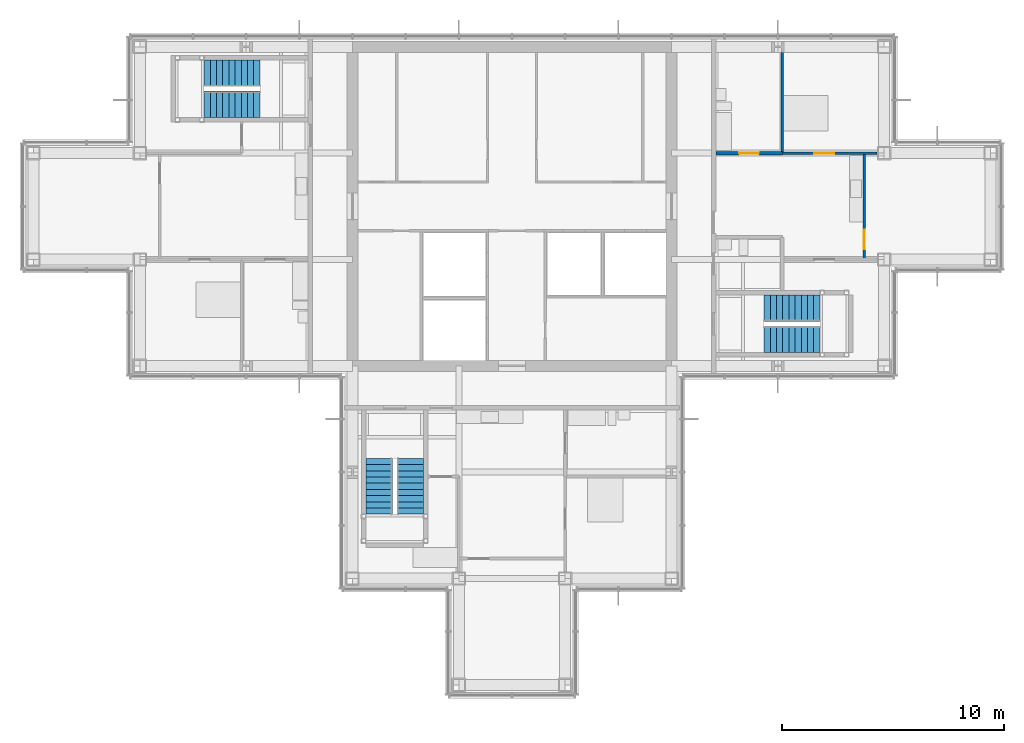
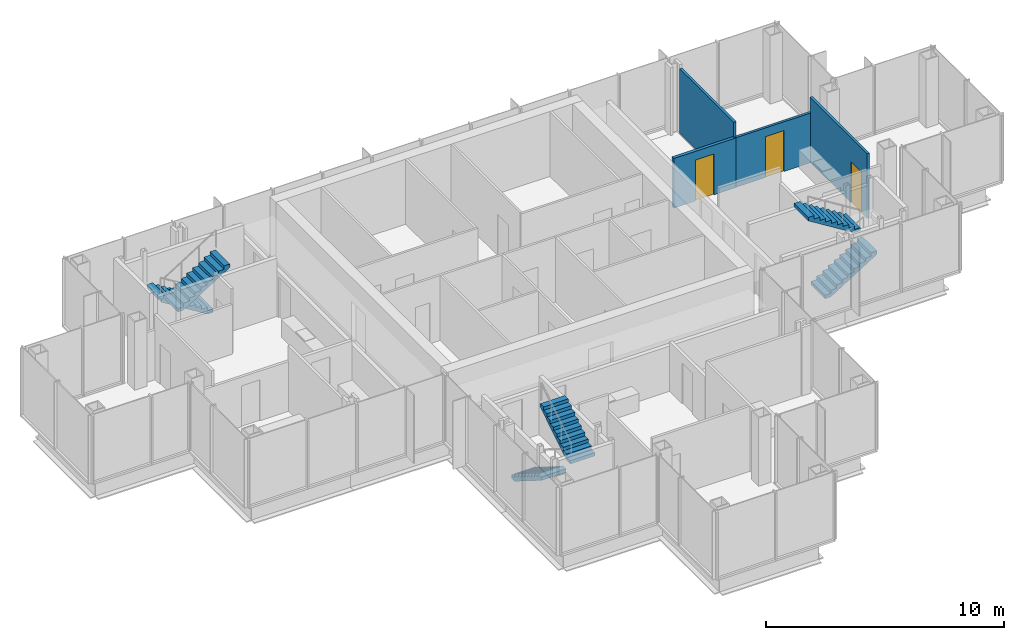
# One storey, part 12 of 15: 6 stair flights, 4 walls, 3 doors, 3 openings, 3 elements without a shape of their own.
"""IFC4 building model written with IfcOpenShell, lengths in metres."""

from ifc_helpers import new_model, si_unit, direction, frame, frame_2d, origin, place, context, subcontext, project, spatial, polyline, rectangle, outline, extrude, material, layer, layer_set, type_object, element, fill, aggregate, save


model = new_model("IFC4")

# Units and contexts
model_context = context("Model", 3, precision=1e-05, world=origin(), true_north=direction((0.0, 1.0)))
body_context = subcontext(model_context, "Body", "Model", "MODEL_VIEW")
ifc_project = project(units=[si_unit("LENGTHUNIT", "METRE"), si_unit("AREAUNIT", "SQUARE_METRE"), si_unit("VOLUMEUNIT", "CUBIC_METRE"), si_unit("PLANEANGLEUNIT", "RADIAN"), si_unit("MASSUNIT", "GRAM", prefix="KILO")], contexts=[model_context])

# Site, building, storey
site_placement = place(None, origin())
site = spatial("IfcSite", under=ifc_project, at=site_placement, CompositionType="ELEMENT")
building_placement = place(site_placement, origin())
building = spatial("IfcBuilding", under=site, at=building_placement, Name="Kvirike Care Tower", CompositionType="ELEMENT")
storey_placement = place(building_placement, frame((0.0, 0.0, 201.5)))
storey = spatial("IfcBuildingStorey", under=building, at=storey_placement, Name="L55", CompositionType="ELEMENT", Elevation=201.5)

# Wall, opening, door
ifc_material_1 = material(Name="Moisture-resistant board partition", Category="gypsum")
ifc_layer_1 = layer(ifc_material_1, 0.14990234375)
ifc_layer_set_1 = layer_set([ifc_layer_1], Name="BATHROOM WALL 150")
wall_type_1 = type_object("IfcWallType", Name="BATHROOM WALL 150", PredefinedType="PARTITIONING", material=ifc_layer_set_1)
wall_1_placement = place(storey_placement, frame((33.800048828125, 38.39990234375, 0.0), z_axis=(0.0, 0.0, 1.0), x_axis=(-1.0, 0.0, 0.0)))
wall_1 = element("IfcWall", 1, at=wall_1_placement, inside=storey, type_object=wall_type_1, Name="Bathroom Wall 150 L55", PredefinedType="PARTITIONING", context=body_context, shape_type="SweptSolid", body=[
    extrude(rectangle(XDim=3.0, YDim=0.14990234375, at=frame_2d((1.5, 0.0))), origin(), (0.0, 0.0, 1.0), 2.550048828125),
])
opening_1_placement = place(wall_1_placement, frame((1.050048828125, 0.0, 0.0)))
opening_1 = element("IfcOpeningElement", 2, at=opening_1_placement, cuts=wall_1, Name="Opening 55-013", PredefinedType="OPENING", context=body_context, shape_type="SweptSolid", body=[
    extrude(rectangle(XDim=0.89990234375, YDim=2.10009765625, at=frame_2d((0.449951171875, 1.050048828125))), frame((0.0, 0.08544921875, 0.0), z_axis=(0.0, -1.0, 0.0), x_axis=(1.0, 0.0, 0.0)), (0.0, 0.0, 1.0), 0.1708984375),
])
ifc_material_2 = material(Name="Timber door set", Category="wood")
door_type_1 = type_object("IfcDoorType", Name="BATHROOM DOOR 900", OperationType="SINGLE_SWING_RIGHT", PredefinedType="DOOR", material=ifc_material_2)
door_1_placement = place(opening_1_placement, frame((0.89990234375, 0.0, 0.0), z_axis=(0.0, 0.0, 1.0), x_axis=(-1.0, 0.0, 0.0)))
door_1 = element("IfcDoor", 3, at=door_1_placement, inside=storey, type_object=door_type_1, Name="Bathroom door", OperationType="SINGLE_SWING_LEFT", OverallHeight=2.10009765625, OverallWidth=0.89990234375, PredefinedType="DOOR", context=body_context, shape_type="SweptSolid", body=[
    extrude(rectangle(XDim=0.89990234375, YDim=2.10009765625, at=frame_2d((0.449951171875, 1.050048828125))), frame((0.0, 0.02197265625, 0.0), z_axis=(0.0, -1.0, 0.0), x_axis=(1.0, 0.0, 0.0)), (0.0, 0.0, 1.0), 0.0439453125),
])
fill(opening_1, door_1)

ifc_material_3 = material(Name="Plasterboard partition", Category="gypsum")
ifc_layer_2 = layer(ifc_material_3, 0.1201171875)
ifc_layer_set_2 = layer_set([ifc_layer_2], Name="PARTITION 120")
wall_type_2 = type_object("IfcWallType", Name="PARTITION 120", PredefinedType="PARTITIONING", material=ifc_layer_set_2)
wall_2_placement = place(storey_placement, frame((37.5, 33.60009765625, 0.0), z_axis=(0.0, 0.0, 1.0), x_axis=(0.0, 1.0, 0.0)))
wall_2 = element("IfcWall", 4, at=wall_2_placement, inside=storey, type_object=wall_type_2, Name="Partition 120 L55", PredefinedType="PARTITIONING", context=body_context, shape_type="SweptSolid", body=[
    extrude(rectangle(XDim=4.7998046875, YDim=0.1201171875, at=frame_2d((2.39990234375, 0.0))), origin(), (0.0, 0.0, 1.0), 3.330078125),
])
opening_2_placement = place(wall_2_placement, frame((0.449951171875, 0.0, 0.0)))
opening_2 = element("IfcOpeningElement", 5, at=opening_2_placement, cuts=wall_2, Name="Opening 55-014", PredefinedType="OPENING", context=body_context, shape_type="SweptSolid", body=[
    extrude(rectangle(XDim=0.89990234375, YDim=2.10009765625, at=frame_2d((0.449951171875, 1.050048828125))), frame((0.0, 0.070556640625, 0.0), z_axis=(0.0, -1.0, 0.0), x_axis=(1.0, 0.0, 0.0)), (0.0, 0.0, 1.0), 0.14111328125),
])
ifc_material_4 = material(Name="Timber door set", Category="wood")
door_type_2 = type_object("IfcDoorType", Name="INTERNAL DOOR 900", OperationType="SINGLE_SWING_LEFT", PredefinedType="DOOR", material=ifc_material_4)
door_2_placement = place(opening_2_placement, frame((0.89990234375, 0.0, 0.0), z_axis=(0.0, 0.0, 1.0), x_axis=(-1.0, 0.0, 0.0)))
door_2 = element("IfcDoor", 6, at=door_2_placement, inside=storey, type_object=door_type_2, Name="Apartment living room door", OperationType="SINGLE_SWING_LEFT", OverallHeight=2.10009765625, OverallWidth=0.89990234375, PredefinedType="DOOR", context=body_context, shape_type="SweptSolid", body=[
    extrude(rectangle(XDim=0.89990234375, YDim=2.10009765625, at=frame_2d((0.449951171875, 1.050048828125))), frame((0.0, 0.02197265625, 0.0), z_axis=(0.0, -1.0, 0.0), x_axis=(1.0, 0.0, 0.0)), (0.0, 0.0, 1.0), 0.0439453125),
])
fill(opening_2, door_2)

# Wall
wall_3_placement = place(storey_placement, frame((33.800048828125, 38.39990234375, 0.0), z_axis=(0.0, 0.0, 1.0), x_axis=(0.0, 1.0, 0.0)))
element("IfcWall", 7, at=wall_3_placement, inside=storey, type_object=wall_type_2, Name="Partition 120 L55", PredefinedType="PARTITIONING", context=body_context, shape_type="SweptSolid", body=[
    extrude(rectangle(XDim=4.552978515625, YDim=0.1201171875, at=frame_2d((2.2763671875, 0.0))), origin(), (0.0, 0.0, 1.0), 3.330078125),
])

# Wall, opening, door
wall_4_placement = place(storey_placement, frame((38.080078125, 38.39990234375, 0.0), z_axis=(0.0, 0.0, 1.0), x_axis=(-1.0, 0.0, 0.0)))
wall_4 = element("IfcWall", 8, at=wall_4_placement, inside=storey, type_object=wall_type_2, Name="Partition 120 L55", PredefinedType="PARTITIONING", context=body_context, shape_type="SweptSolid", body=[
    extrude(rectangle(XDim=4.280029296875, YDim=0.1201171875, at=frame_2d((2.14013671875, 0.0))), origin(), (0.0, 0.0, 1.0), 2.550048828125),
])
opening_3_placement = place(wall_4_placement, frame((1.929931640625, 0.0, 0.0)))
opening_3 = element("IfcOpeningElement", 9, at=opening_3_placement, cuts=wall_4, Name="Opening 55-016", PredefinedType="OPENING", context=body_context, shape_type="SweptSolid", body=[
    extrude(rectangle(XDim=0.89990234375, YDim=2.10009765625, at=frame_2d((0.449951171875, 1.050048828125))), frame((0.0, 0.070556640625, 0.0), z_axis=(0.0, -1.0, 0.0), x_axis=(1.0, 0.0, 0.0)), (0.0, 0.0, 1.0), 0.14111328125),
])
door_3_placement = place(opening_3_placement, frame((0.89990234375, 0.0, 0.0), z_axis=(0.0, 0.0, 1.0), x_axis=(-1.0, 0.0, 0.0)))
door_3 = element("IfcDoor", 10, at=door_3_placement, inside=storey, type_object=door_type_2, Name="Connecting door", OperationType="SINGLE_SWING_RIGHT", OverallHeight=2.10009765625, OverallWidth=0.89990234375, PredefinedType="DOOR", context=body_context, shape_type="SweptSolid", body=[
    extrude(rectangle(XDim=0.89990234375, YDim=2.10009765625, at=frame_2d((0.449951171875, 1.050048828125))), frame((0.0, 0.02197265625, 0.0), z_axis=(0.0, -1.0, 0.0), x_axis=(1.0, 0.0, 0.0)), (0.0, 0.0, 1.0), 0.0439453125),
])
fill(opening_3, door_3)

# Stair, stair flights
ifc_material_5 = material(Name="Concrete C35/45", Category="concrete")
stair_type = type_object("IfcStairType", Name="STAIR 20 RISERS", PredefinedType="HALF_TURN_STAIR", material=ifc_material_5)
stair_1_placement = place(storey_placement, origin())
stair_1 = element("IfcStair", 11, at=stair_1_placement, inside=storey, type_object=stair_type, Name="Stair 1 L55", PredefinedType="HALF_TURN_STAIR")
ifc_material_6 = material(Name="Concrete C35/45", Category="concrete")
stair_flight_type = type_object("IfcStairFlightType", Name="FLIGHT 10 RISERS", PredefinedType="STRAIGHT", material=ifc_material_6)
stair_flight_1_placement = place(storey_placement, frame((10.219970703125, 42.0, 0.0), z_axis=(0.0, 0.0, 1.0), x_axis=(-1.0, 0.0, 0.0)))
stair_flight_1 = element("IfcStairFlight", 12, at=stair_flight_1_placement, type_object=stair_flight_type, Name="Stair S1 flight 1 L55-L56", NumberOfRisers=10, NumberOfTreads=9, PredefinedType="STRAIGHT", RiserHeight=0.175, TreadLength=0.28, context=body_context, shape_type="SweptSolid", body=[
    extrude(outline(polyline([(0.0, 0.0), (0.0, 0.175048828125), (0.280029296875, 0.175048828125), (0.280029296875, 0.35009765625), (0.56005859375, 0.35009765625), (0.56005859375, 0.52490234375), (0.840087890625, 0.52490234375), (0.840087890625, 0.699951171875), (1.1201171875, 0.699951171875), (1.1201171875, 0.875), (1.39990234375, 0.875), (1.39990234375, 1.050048828125), (1.679931640625, 1.050048828125), (1.679931640625, 1.22509765625), (1.9599609375, 1.22509765625), (1.9599609375, 1.39990234375), (2.239990234375, 1.39990234375), (2.239990234375, 1.574951171875), (2.52001953125, 1.574951171875), (2.52001953125, 1.75), (2.52001953125, 1.398193359375), (0.28271484375, 0.0), (0.0, 0.0)])), frame((0.0, 0.60009765625, 0.0), z_axis=(0.0, -1.0, 0.0), x_axis=(1.0, 0.0, 0.0)), (0.0, 0.0, 1.0), 1.199951171875),
])
stair_flight_2_placement = place(storey_placement, frame((7.699951171875, 40.60009765625, 1.75), z_axis=(0.0, 0.0, 1.0), x_axis=(1.0, 0.0, 0.0)))
stair_flight_2 = element("IfcStairFlight", 13, at=stair_flight_2_placement, type_object=stair_flight_type, Name="Stair S1 flight 2 L55-L56", NumberOfRisers=10, NumberOfTreads=9, PredefinedType="STRAIGHT", RiserHeight=0.175, TreadLength=0.28, context=body_context, shape_type="SweptSolid", body=[
    extrude(outline(polyline([(0.0, 0.0), (0.0, 0.175048828125), (0.280029296875, 0.175048828125), (0.280029296875, 0.35009765625), (0.56005859375, 0.35009765625), (0.56005859375, 0.52490234375), (0.840087890625, 0.52490234375), (0.840087890625, 0.699951171875), (1.1201171875, 0.699951171875), (1.1201171875, 0.875), (1.39990234375, 0.875), (1.39990234375, 1.050048828125), (1.679931640625, 1.050048828125), (1.679931640625, 1.22509765625), (1.9599609375, 1.22509765625), (1.9599609375, 1.39990234375), (2.239990234375, 1.39990234375), (2.239990234375, 1.574951171875), (2.52001953125, 1.574951171875), (2.52001953125, 1.75), (2.52001953125, 1.398193359375), (0.28271484375, 0.0), (0.0, 0.0)])), frame((0.0, 0.60009765625, 0.0), z_axis=(0.0, -1.0, 0.0), x_axis=(1.0, 0.0, 0.0)), (0.0, 0.0, 1.0), 1.199951171875),
])
aggregate(stair_1, [stair_flight_1, stair_flight_2])

stair_2_placement = place(storey_placement, origin())
stair_2 = element("IfcStair", 14, at=stair_2_placement, inside=storey, type_object=stair_type, Name="Stair 2 L55", PredefinedType="HALF_TURN_STAIR")
stair_flight_3_placement = place(storey_placement, frame((32.97998046875, 30.0, 0.0), z_axis=(0.0, 0.0, 1.0), x_axis=(1.0, 0.0, 0.0)))
stair_flight_3 = element("IfcStairFlight", 15, at=stair_flight_3_placement, type_object=stair_flight_type, Name="Stair S2 flight 1 L55-L56", NumberOfRisers=10, NumberOfTreads=9, PredefinedType="STRAIGHT", RiserHeight=0.175, TreadLength=0.28, context=body_context, shape_type="SweptSolid", body=[
    extrude(outline(polyline([(0.0, 0.0), (0.0, 0.175048828125), (0.280029296875, 0.175048828125), (0.280029296875, 0.35009765625), (0.56005859375, 0.35009765625), (0.56005859375, 0.52490234375), (0.840087890625, 0.52490234375), (0.840087890625, 0.699951171875), (1.1201171875, 0.699951171875), (1.1201171875, 0.875), (1.39990234375, 0.875), (1.39990234375, 1.050048828125), (1.679931640625, 1.050048828125), (1.679931640625, 1.22509765625), (1.9599609375, 1.22509765625), (1.9599609375, 1.39990234375), (2.239990234375, 1.39990234375), (2.239990234375, 1.574951171875), (2.52001953125, 1.574951171875), (2.52001953125, 1.75), (2.52001953125, 1.398193359375), (0.28271484375, 0.0), (0.0, 0.0)])), frame((0.0, 0.60009765625, 0.0), z_axis=(0.0, -1.0, 0.0), x_axis=(1.0, 0.0, 0.0)), (0.0, 0.0, 1.0), 1.199951171875),
])
stair_flight_4_placement = place(storey_placement, frame((35.5, 31.39990234375, 1.75), z_axis=(0.0, 0.0, 1.0), x_axis=(-1.0, 0.0, 0.0)))
stair_flight_4 = element("IfcStairFlight", 16, at=stair_flight_4_placement, type_object=stair_flight_type, Name="Stair S2 flight 2 L55-L56", NumberOfRisers=10, NumberOfTreads=9, PredefinedType="STRAIGHT", RiserHeight=0.175, TreadLength=0.28, context=body_context, shape_type="SweptSolid", body=[
    extrude(outline(polyline([(0.0, 0.0), (0.0, 0.175048828125), (0.280029296875, 0.175048828125), (0.280029296875, 0.35009765625), (0.56005859375, 0.35009765625), (0.56005859375, 0.52490234375), (0.840087890625, 0.52490234375), (0.840087890625, 0.699951171875), (1.1201171875, 0.699951171875), (1.1201171875, 0.875), (1.39990234375, 0.875), (1.39990234375, 1.050048828125), (1.679931640625, 1.050048828125), (1.679931640625, 1.22509765625), (1.9599609375, 1.22509765625), (1.9599609375, 1.39990234375), (2.239990234375, 1.39990234375), (2.239990234375, 1.574951171875), (2.52001953125, 1.574951171875), (2.52001953125, 1.75), (2.52001953125, 1.398193359375), (0.28271484375, 0.0), (0.0, 0.0)])), frame((0.0, 0.60009765625, 0.0), z_axis=(0.0, -1.0, 0.0), x_axis=(1.0, 0.0, 0.0)), (0.0, 0.0, 1.0), 1.199951171875),
])
aggregate(stair_2, [stair_flight_3, stair_flight_4])

stair_3_placement = place(storey_placement, origin())
stair_3 = element("IfcStair", 17, at=stair_3_placement, inside=storey, type_object=stair_type, Name="Stair 5 L55", PredefinedType="HALF_TURN_STAIR")
stair_flight_5_placement = place(storey_placement, frame((15.60009765625, 24.6201171875, 0.0), z_axis=(0.0, 0.0, 1.0), x_axis=(0.0, -1.0, 0.0)))
stair_flight_5 = element("IfcStairFlight", 18, at=stair_flight_5_placement, type_object=stair_flight_type, Name="Stair S5 flight 1 L55-L56", NumberOfRisers=10, NumberOfTreads=9, PredefinedType="STRAIGHT", RiserHeight=0.175, TreadLength=0.28, context=body_context, shape_type="SweptSolid", body=[
    extrude(outline(polyline([(0.0, 0.0), (0.0, 0.175048828125), (0.280029296875, 0.175048828125), (0.280029296875, 0.35009765625), (0.56005859375, 0.35009765625), (0.56005859375, 0.52490234375), (0.840087890625, 0.52490234375), (0.840087890625, 0.699951171875), (1.1201171875, 0.699951171875), (1.1201171875, 0.875), (1.39990234375, 0.875), (1.39990234375, 1.050048828125), (1.679931640625, 1.050048828125), (1.679931640625, 1.22509765625), (1.9599609375, 1.22509765625), (1.9599609375, 1.39990234375), (2.239990234375, 1.39990234375), (2.239990234375, 1.574951171875), (2.52001953125, 1.574951171875), (2.52001953125, 1.75), (2.52001953125, 1.398193359375), (0.28271484375, 0.0), (0.0, 0.0)])), frame((0.0, 0.60009765625, 0.0), z_axis=(0.0, -1.0, 0.0), x_axis=(1.0, 0.0, 0.0)), (0.0, 0.0, 1.0), 1.199951171875),
])
stair_flight_6_placement = place(storey_placement, frame((17.0, 22.10009765625, 1.75), z_axis=(0.0, 0.0, 1.0), x_axis=(0.0, 1.0, 0.0)))
stair_flight_6 = element("IfcStairFlight", 19, at=stair_flight_6_placement, type_object=stair_flight_type, Name="Stair S5 flight 2 L55-L56", NumberOfRisers=10, NumberOfTreads=9, PredefinedType="STRAIGHT", RiserHeight=0.175, TreadLength=0.28, context=body_context, shape_type="SweptSolid", body=[
    extrude(outline(polyline([(0.0, 0.0), (0.0, 0.175048828125), (0.280029296875, 0.175048828125), (0.280029296875, 0.35009765625), (0.56005859375, 0.35009765625), (0.56005859375, 0.52490234375), (0.840087890625, 0.52490234375), (0.840087890625, 0.699951171875), (1.1201171875, 0.699951171875), (1.1201171875, 0.875), (1.39990234375, 0.875), (1.39990234375, 1.050048828125), (1.679931640625, 1.050048828125), (1.679931640625, 1.22509765625), (1.9599609375, 1.22509765625), (1.9599609375, 1.39990234375), (2.239990234375, 1.39990234375), (2.239990234375, 1.574951171875), (2.52001953125, 1.574951171875), (2.52001953125, 1.75), (2.52001953125, 1.398193359375), (0.28271484375, 0.0), (0.0, 0.0)])), frame((0.0, 0.60009765625, 0.0), z_axis=(0.0, -1.0, 0.0), x_axis=(1.0, 0.0, 0.0)), (0.0, 0.0, 1.0), 1.199951171875),
])
aggregate(stair_3, [stair_flight_5, stair_flight_6])

save(model, "model.ifc")
